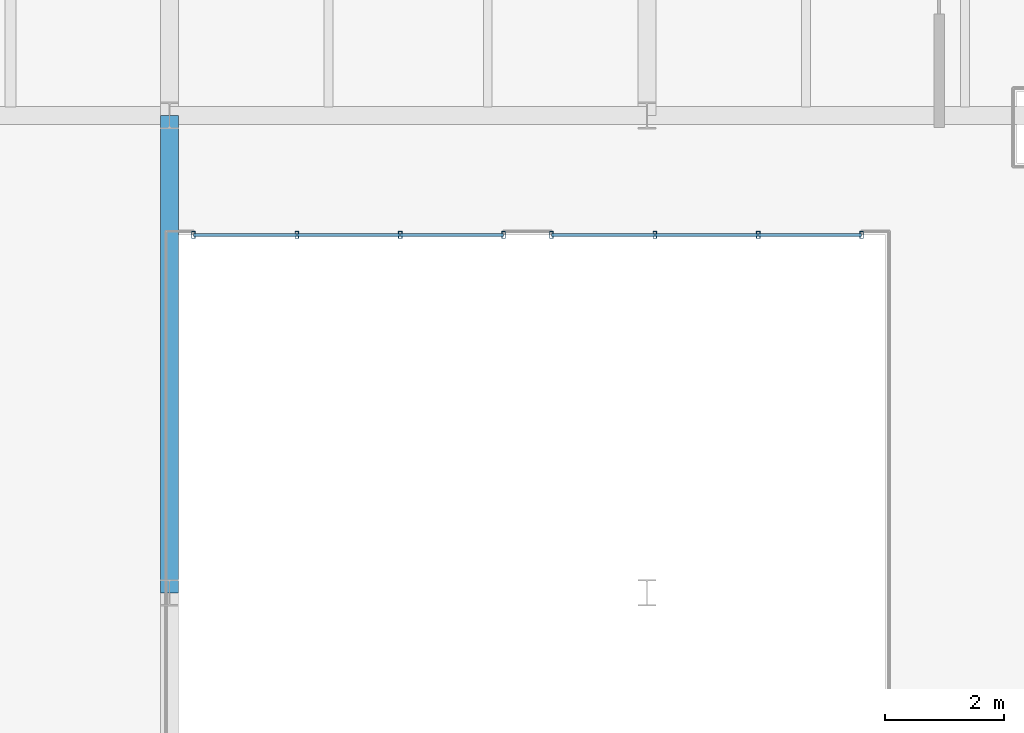
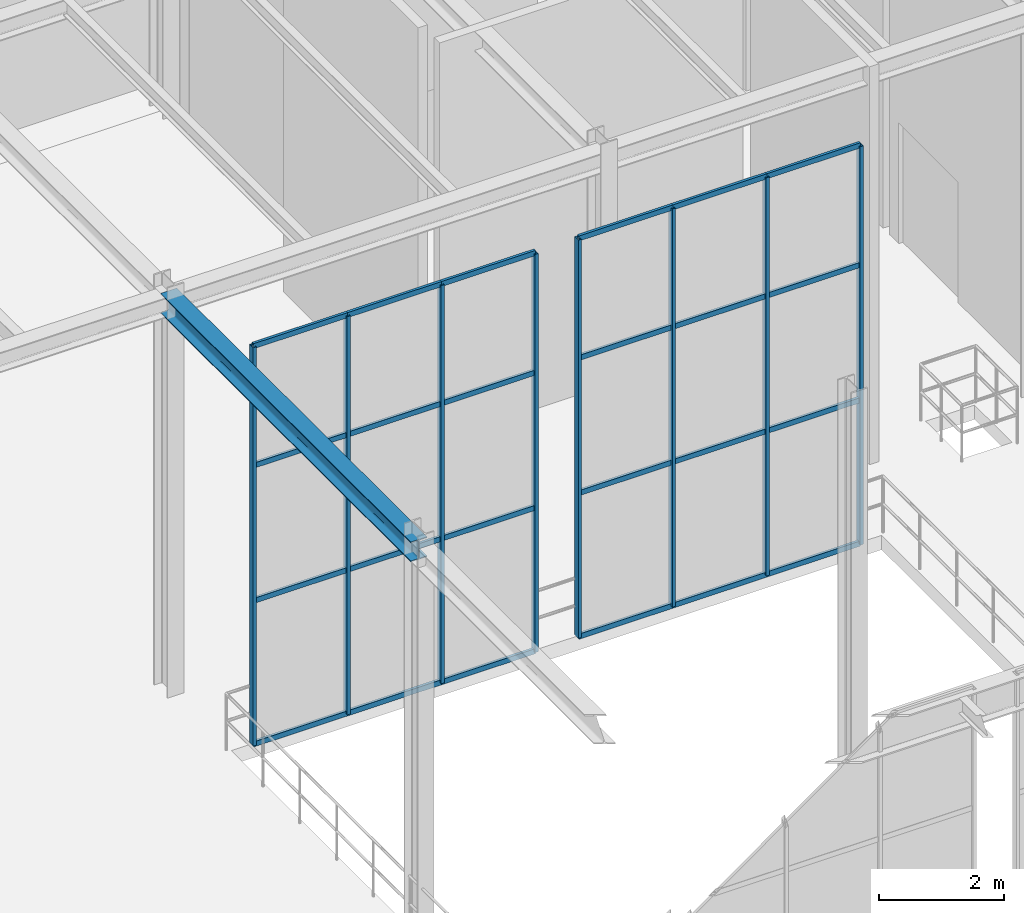
# One storey, part 69 of 138: 32 members, 1 beam, 2 elements without a shape of their own.
"""IFC4 building model written with IfcOpenShell, lengths in metres."""

from ifc_helpers import new_model, si_unit, direction, frame, origin, origin_2d, place, context, subcontext, project, spatial, hollow_rectangle, i_section, extrude, material, material_profile, profile_set, type_object, element, aggregate, save


model = new_model("IFC4")

# Units and contexts
model_context = context("Model", 3, precision=1e-05, world=origin(), true_north=direction((0.0, 1.0)))
body_context = subcontext(model_context, "Body", "Model", "MODEL_VIEW")
ifc_project = project(units=[si_unit("LENGTHUNIT", "METRE"), si_unit("AREAUNIT", "SQUARE_METRE"), si_unit("VOLUMEUNIT", "CUBIC_METRE"), si_unit("PLANEANGLEUNIT", "RADIAN"), si_unit("MASSUNIT", "GRAM", prefix="KILO")], contexts=[model_context])

# Site, building, storey
site_placement = place(None, origin())
site = spatial("IfcSite", under=ifc_project, at=site_placement, CompositionType="ELEMENT")
building_placement = place(site_placement, origin())
building = spatial("IfcBuilding", under=site, at=building_placement, Name="Sundkrona Museum", CompositionType="ELEMENT")
storey_placement = place(building_placement, frame((0.0, 0.0, 9.60009765625)))
storey = spatial("IfcBuildingStorey", under=building, at=storey_placement, Name="L02", CompositionType="ELEMENT", Elevation=9.60009765625)

# Beam
ifc_material_1 = material(Name="Steel S355J2", Category="steel")
ifc_material_profile_1 = material_profile(ifc_material_1, i_section(OverallWidth=0.300048828125, OverallDepth=0.389892578125, WebThickness=0.010986328125, FlangeThickness=0.01904296875, FilletRadius=0.027099609375, at=origin_2d()), Name="HEA 400")
ifc_profile_set_1 = profile_set([ifc_material_profile_1], Name="Steel S355J2")
beam_type = type_object("IfcBeamType", Name="B-HEA400", PredefinedType="BEAM", material=ifc_profile_set_1)
beam_placement = place(storey_placement, frame((136.0, 24.0, 7.56494140625), z_axis=(0.0, 1.0, 0.0), x_axis=(-1.0, 0.0, 0.0)))
element("IfcBeam", 1, at=beam_placement, inside=storey, type_object=beam_type, Name="L02 Girder Y-1344", PredefinedType="BEAM", context=body_context, shape_type="SweptSolid", body=[
    extrude(i_section(OverallWidth=0.300048828125, OverallDepth=0.389892578125, WebThickness=0.010986328125, FlangeThickness=0.01904296875, FilletRadius=0.027099609375, at=origin_2d()), origin(), (0.0, 0.0, 1.0), 8.0),
])

# Curtain wall, members
ifc_material_2 = material(Name="Unitised Aluminium-Steel and Ceramic-Clad Curtain Walling", Category="steel")
curtain_wall_type = type_object("IfcCurtainWallType", Name="CW-SC-52x74", PredefinedType="NOTDEFINED", material=ifc_material_2)
curtain_wall_1_placement = place(storey_placement, origin())
curtain_wall_1 = element("IfcCurtainWall", 2, at=curtain_wall_1_placement, inside=storey, type_object=curtain_wall_type, Name="L02 Curtain Wall CW-L02-006", PredefinedType="NOTDEFINED")
ifc_material_3 = material(Name="Aluminium EN AW-6060 T66", Category="aluminium")
ifc_material_profile_2 = material_profile(ifc_material_3, hollow_rectangle(XDim=0.06005859375, YDim=0.1201171875, WallThickness=0.0048828125, at=origin_2d()), Name="RHS 120x60x5.0")
ifc_profile_set_2 = profile_set([ifc_material_profile_2], Name="Aluminium EN AW-6060 T66")
member_type_1 = type_object("IfcMemberType", Name="ML-120", PredefinedType="MULLION", material=ifc_profile_set_2)
member_1_placement = place(storey_placement, frame((136.39990234375, 30.0, -0.004150390625), z_axis=(0.0, 0.0, 1.0), x_axis=(1.0, 0.0, 0.0)))
member_1 = element("IfcMember", 3, at=member_1_placement, type_object=member_type_1, Name="CW-L02-006 Mullion 01", PredefinedType="MULLION", context=body_context, shape_type="SweptSolid", body=[
    extrude(hollow_rectangle(XDim=0.06005859375, YDim=0.1201171875, WallThickness=0.0048828125, at=origin_2d()), origin(), (0.0, 0.0, 1.0), 7.76806640625),
])
member_2_placement = place(storey_placement, frame((138.13330078125, 30.0, -0.004150390625), z_axis=(0.0, 0.0, 1.0), x_axis=(1.0, 0.0, 0.0)))
member_2 = element("IfcMember", 4, at=member_2_placement, type_object=member_type_1, Name="CW-L02-006 Mullion 02", PredefinedType="MULLION", context=body_context, shape_type="SweptSolid", body=[
    extrude(hollow_rectangle(XDim=0.06005859375, YDim=0.1201171875, WallThickness=0.0048828125, at=origin_2d()), origin(), (0.0, 0.0, 1.0), 7.76806640625),
])
member_3_placement = place(storey_placement, frame((139.86669921875, 30.0, -0.004150390625), z_axis=(0.0, 0.0, 1.0), x_axis=(1.0, 0.0, 0.0)))
member_3 = element("IfcMember", 5, at=member_3_placement, type_object=member_type_1, Name="CW-L02-006 Mullion 03", PredefinedType="MULLION", context=body_context, shape_type="SweptSolid", body=[
    extrude(hollow_rectangle(XDim=0.06005859375, YDim=0.1201171875, WallThickness=0.0048828125, at=origin_2d()), origin(), (0.0, 0.0, 1.0), 7.76806640625),
])
member_4_placement = place(storey_placement, frame((141.60009765625, 30.0, -0.004150390625), z_axis=(0.0, 0.0, 1.0), x_axis=(1.0, 0.0, 0.0)))
member_4 = element("IfcMember", 6, at=member_4_placement, type_object=member_type_1, Name="CW-L02-006 Mullion 04", PredefinedType="MULLION", context=body_context, shape_type="SweptSolid", body=[
    extrude(hollow_rectangle(XDim=0.06005859375, YDim=0.1201171875, WallThickness=0.0048828125, at=origin_2d()), origin(), (0.0, 0.0, 1.0), 7.76806640625),
])

curtain_wall_2_placement = place(storey_placement, origin())
curtain_wall_2 = element("IfcCurtainWall", 7, at=curtain_wall_2_placement, inside=storey, type_object=curtain_wall_type, Name="L02 Curtain Wall CW-L02-008", PredefinedType="NOTDEFINED")
member_5_placement = place(storey_placement, frame((142.39990234375, 30.0, -0.004150390625), z_axis=(0.0, 0.0, 1.0), x_axis=(1.0, 0.0, 0.0)))
member_5 = element("IfcMember", 8, at=member_5_placement, type_object=member_type_1, Name="CW-L02-008 Mullion 01", PredefinedType="MULLION", context=body_context, shape_type="SweptSolid", body=[
    extrude(hollow_rectangle(XDim=0.06005859375, YDim=0.1201171875, WallThickness=0.0048828125, at=origin_2d()), origin(), (0.0, 0.0, 1.0), 7.76806640625),
])
member_6_placement = place(storey_placement, frame((144.13330078125, 30.0, -0.004150390625), z_axis=(0.0, 0.0, 1.0), x_axis=(1.0, 0.0, 0.0)))
member_6 = element("IfcMember", 9, at=member_6_placement, type_object=member_type_1, Name="CW-L02-008 Mullion 02", PredefinedType="MULLION", context=body_context, shape_type="SweptSolid", body=[
    extrude(hollow_rectangle(XDim=0.06005859375, YDim=0.1201171875, WallThickness=0.0048828125, at=origin_2d()), origin(), (0.0, 0.0, 1.0), 7.76806640625),
])
member_7_placement = place(storey_placement, frame((145.86669921875, 30.0, -0.004150390625), z_axis=(0.0, 0.0, 1.0), x_axis=(1.0, 0.0, 0.0)))
member_7 = element("IfcMember", 10, at=member_7_placement, type_object=member_type_1, Name="CW-L02-008 Mullion 03", PredefinedType="MULLION", context=body_context, shape_type="SweptSolid", body=[
    extrude(hollow_rectangle(XDim=0.06005859375, YDim=0.1201171875, WallThickness=0.0048828125, at=origin_2d()), origin(), (0.0, 0.0, 1.0), 7.76806640625),
])
member_8_placement = place(storey_placement, frame((147.60009765625, 30.0, -0.004150390625), z_axis=(0.0, 0.0, 1.0), x_axis=(1.0, 0.0, 0.0)))
member_8 = element("IfcMember", 11, at=member_8_placement, type_object=member_type_1, Name="CW-L02-008 Mullion 04", PredefinedType="MULLION", context=body_context, shape_type="SweptSolid", body=[
    extrude(hollow_rectangle(XDim=0.06005859375, YDim=0.1201171875, WallThickness=0.0048828125, at=origin_2d()), origin(), (0.0, 0.0, 1.0), 7.76806640625),
])

# Member
ifc_material_profile_3 = material_profile(ifc_material_3, hollow_rectangle(XDim=0.050048828125, YDim=0.10009765625, WallThickness=0.0048828125, at=origin_2d()), Name="RHS 100x50x5.0")
ifc_profile_set_3 = profile_set([ifc_material_profile_3], Name="Aluminium EN AW-6060 T66")
member_type_2 = type_object("IfcMemberType", Name="TR-100", PredefinedType="USERDEFINED", material=ifc_profile_set_3)
member_9_placement = place(storey_placement, frame((136.39990234375, 30.0, -0.004150390625), z_axis=(1.0, 0.0, 0.0), x_axis=(0.0, 1.0, 0.0)))
member_9 = element("IfcMember", 12, at=member_9_placement, type_object=member_type_2, Name="CW-L02-006 Transom 01", ObjectType="TRANSOM", PredefinedType="USERDEFINED", context=body_context, shape_type="SweptSolid", body=[
    extrude(hollow_rectangle(XDim=0.050048828125, YDim=0.10009765625, WallThickness=0.0048828125, at=origin_2d()), origin(), (0.0, 0.0, 1.0), 1.7333984375),
])

member_10_placement = place(storey_placement, frame((136.39990234375, 30.0, 2.7939453125), z_axis=(1.0, 0.0, 0.0), x_axis=(0.0, 1.0, 0.0)))
member_10 = element("IfcMember", 13, at=member_10_placement, type_object=member_type_2, Name="CW-L02-006 Transom 02", ObjectType="TRANSOM", PredefinedType="USERDEFINED", context=body_context, shape_type="SweptSolid", body=[
    extrude(hollow_rectangle(XDim=0.050048828125, YDim=0.10009765625, WallThickness=0.0048828125, at=origin_2d()), origin(), (0.0, 0.0, 1.0), 1.7333984375),
])

member_11_placement = place(storey_placement, frame((136.39990234375, 30.0, 5.431884765625), z_axis=(1.0, 0.0, 0.0), x_axis=(0.0, 1.0, 0.0)))
member_11 = element("IfcMember", 14, at=member_11_placement, type_object=member_type_2, Name="CW-L02-006 Transom 03", ObjectType="TRANSOM", PredefinedType="USERDEFINED", context=body_context, shape_type="SweptSolid", body=[
    extrude(hollow_rectangle(XDim=0.050048828125, YDim=0.10009765625, WallThickness=0.0048828125, at=origin_2d()), origin(), (0.0, 0.0, 1.0), 1.7333984375),
])

member_12_placement = place(storey_placement, frame((136.39990234375, 30.0, 7.763916015625), z_axis=(1.0, 0.0, 0.0), x_axis=(0.0, 1.0, 0.0)))
member_12 = element("IfcMember", 15, at=member_12_placement, type_object=member_type_2, Name="CW-L02-006 Transom 04", ObjectType="TRANSOM", PredefinedType="USERDEFINED", context=body_context, shape_type="SweptSolid", body=[
    extrude(hollow_rectangle(XDim=0.050048828125, YDim=0.10009765625, WallThickness=0.0048828125, at=origin_2d()), origin(), (0.0, 0.0, 1.0), 1.7333984375),
])

member_13_placement = place(storey_placement, frame((138.13330078125, 30.0, -0.004150390625), z_axis=(1.0, 0.0, 0.0), x_axis=(0.0, 1.0, 0.0)))
member_13 = element("IfcMember", 16, at=member_13_placement, type_object=member_type_2, Name="CW-L02-006 Transom 05", ObjectType="TRANSOM", PredefinedType="USERDEFINED", context=body_context, shape_type="SweptSolid", body=[
    extrude(hollow_rectangle(XDim=0.050048828125, YDim=0.10009765625, WallThickness=0.0048828125, at=origin_2d()), origin(), (0.0, 0.0, 1.0), 1.7333984375),
])

member_14_placement = place(storey_placement, frame((138.13330078125, 30.0, 2.7939453125), z_axis=(1.0, 0.0, 0.0), x_axis=(0.0, 1.0, 0.0)))
member_14 = element("IfcMember", 17, at=member_14_placement, type_object=member_type_2, Name="CW-L02-006 Transom 06", ObjectType="TRANSOM", PredefinedType="USERDEFINED", context=body_context, shape_type="SweptSolid", body=[
    extrude(hollow_rectangle(XDim=0.050048828125, YDim=0.10009765625, WallThickness=0.0048828125, at=origin_2d()), origin(), (0.0, 0.0, 1.0), 1.7333984375),
])

member_15_placement = place(storey_placement, frame((138.13330078125, 30.0, 5.431884765625), z_axis=(1.0, 0.0, 0.0), x_axis=(0.0, 1.0, 0.0)))
member_15 = element("IfcMember", 18, at=member_15_placement, type_object=member_type_2, Name="CW-L02-006 Transom 07", ObjectType="TRANSOM", PredefinedType="USERDEFINED", context=body_context, shape_type="SweptSolid", body=[
    extrude(hollow_rectangle(XDim=0.050048828125, YDim=0.10009765625, WallThickness=0.0048828125, at=origin_2d()), origin(), (0.0, 0.0, 1.0), 1.7333984375),
])

member_16_placement = place(storey_placement, frame((138.13330078125, 30.0, 7.763916015625), z_axis=(1.0, 0.0, 0.0), x_axis=(0.0, 1.0, 0.0)))
member_16 = element("IfcMember", 19, at=member_16_placement, type_object=member_type_2, Name="CW-L02-006 Transom 08", ObjectType="TRANSOM", PredefinedType="USERDEFINED", context=body_context, shape_type="SweptSolid", body=[
    extrude(hollow_rectangle(XDim=0.050048828125, YDim=0.10009765625, WallThickness=0.0048828125, at=origin_2d()), origin(), (0.0, 0.0, 1.0), 1.7333984375),
])

member_17_placement = place(storey_placement, frame((139.86669921875, 30.0, -0.004150390625), z_axis=(1.0, 0.0, 0.0), x_axis=(0.0, 1.0, 0.0)))
member_17 = element("IfcMember", 20, at=member_17_placement, type_object=member_type_2, Name="CW-L02-006 Transom 09", ObjectType="TRANSOM", PredefinedType="USERDEFINED", context=body_context, shape_type="SweptSolid", body=[
    extrude(hollow_rectangle(XDim=0.050048828125, YDim=0.10009765625, WallThickness=0.0048828125, at=origin_2d()), origin(), (0.0, 0.0, 1.0), 1.7333984375),
])

member_18_placement = place(storey_placement, frame((139.86669921875, 30.0, 2.7939453125), z_axis=(1.0, 0.0, 0.0), x_axis=(0.0, 1.0, 0.0)))
member_18 = element("IfcMember", 21, at=member_18_placement, type_object=member_type_2, Name="CW-L02-006 Transom 10", ObjectType="TRANSOM", PredefinedType="USERDEFINED", context=body_context, shape_type="SweptSolid", body=[
    extrude(hollow_rectangle(XDim=0.050048828125, YDim=0.10009765625, WallThickness=0.0048828125, at=origin_2d()), origin(), (0.0, 0.0, 1.0), 1.7333984375),
])

member_19_placement = place(storey_placement, frame((139.86669921875, 30.0, 5.431884765625), z_axis=(1.0, 0.0, 0.0), x_axis=(0.0, 1.0, 0.0)))
member_19 = element("IfcMember", 22, at=member_19_placement, type_object=member_type_2, Name="CW-L02-006 Transom 11", ObjectType="TRANSOM", PredefinedType="USERDEFINED", context=body_context, shape_type="SweptSolid", body=[
    extrude(hollow_rectangle(XDim=0.050048828125, YDim=0.10009765625, WallThickness=0.0048828125, at=origin_2d()), origin(), (0.0, 0.0, 1.0), 1.7333984375),
])

member_20_placement = place(storey_placement, frame((139.86669921875, 30.0, 7.763916015625), z_axis=(1.0, 0.0, 0.0), x_axis=(0.0, 1.0, 0.0)))
member_20 = element("IfcMember", 23, at=member_20_placement, type_object=member_type_2, Name="CW-L02-006 Transom 12", ObjectType="TRANSOM", PredefinedType="USERDEFINED", context=body_context, shape_type="SweptSolid", body=[
    extrude(hollow_rectangle(XDim=0.050048828125, YDim=0.10009765625, WallThickness=0.0048828125, at=origin_2d()), origin(), (0.0, 0.0, 1.0), 1.7333984375),
])

aggregate(curtain_wall_1, [member_1, member_2, member_3, member_4, member_9, member_10, member_11, member_12, member_13, member_14, member_15, member_16, member_17, member_18, member_19, member_20])

member_21_placement = place(storey_placement, frame((142.39990234375, 30.0, -0.004150390625), z_axis=(1.0, 0.0, 0.0), x_axis=(0.0, 1.0, 0.0)))
member_21 = element("IfcMember", 24, at=member_21_placement, type_object=member_type_2, Name="CW-L02-008 Transom 01", ObjectType="TRANSOM", PredefinedType="USERDEFINED", context=body_context, shape_type="SweptSolid", body=[
    extrude(hollow_rectangle(XDim=0.050048828125, YDim=0.10009765625, WallThickness=0.0048828125, at=origin_2d()), origin(), (0.0, 0.0, 1.0), 1.7333984375),
])

member_22_placement = place(storey_placement, frame((142.39990234375, 30.0, 2.7939453125), z_axis=(1.0, 0.0, 0.0), x_axis=(0.0, 1.0, 0.0)))
member_22 = element("IfcMember", 25, at=member_22_placement, type_object=member_type_2, Name="CW-L02-008 Transom 02", ObjectType="TRANSOM", PredefinedType="USERDEFINED", context=body_context, shape_type="SweptSolid", body=[
    extrude(hollow_rectangle(XDim=0.050048828125, YDim=0.10009765625, WallThickness=0.0048828125, at=origin_2d()), origin(), (0.0, 0.0, 1.0), 1.7333984375),
])

member_23_placement = place(storey_placement, frame((142.39990234375, 30.0, 5.431884765625), z_axis=(1.0, 0.0, 0.0), x_axis=(0.0, 1.0, 0.0)))
member_23 = element("IfcMember", 26, at=member_23_placement, type_object=member_type_2, Name="CW-L02-008 Transom 03", ObjectType="TRANSOM", PredefinedType="USERDEFINED", context=body_context, shape_type="SweptSolid", body=[
    extrude(hollow_rectangle(XDim=0.050048828125, YDim=0.10009765625, WallThickness=0.0048828125, at=origin_2d()), origin(), (0.0, 0.0, 1.0), 1.7333984375),
])

member_24_placement = place(storey_placement, frame((142.39990234375, 30.0, 7.763916015625), z_axis=(1.0, 0.0, 0.0), x_axis=(0.0, 1.0, 0.0)))
member_24 = element("IfcMember", 27, at=member_24_placement, type_object=member_type_2, Name="CW-L02-008 Transom 04", ObjectType="TRANSOM", PredefinedType="USERDEFINED", context=body_context, shape_type="SweptSolid", body=[
    extrude(hollow_rectangle(XDim=0.050048828125, YDim=0.10009765625, WallThickness=0.0048828125, at=origin_2d()), origin(), (0.0, 0.0, 1.0), 1.7333984375),
])

member_25_placement = place(storey_placement, frame((144.13330078125, 30.0, -0.004150390625), z_axis=(1.0, 0.0, 0.0), x_axis=(0.0, 1.0, 0.0)))
member_25 = element("IfcMember", 28, at=member_25_placement, type_object=member_type_2, Name="CW-L02-008 Transom 05", ObjectType="TRANSOM", PredefinedType="USERDEFINED", context=body_context, shape_type="SweptSolid", body=[
    extrude(hollow_rectangle(XDim=0.050048828125, YDim=0.10009765625, WallThickness=0.0048828125, at=origin_2d()), origin(), (0.0, 0.0, 1.0), 1.7333984375),
])

member_26_placement = place(storey_placement, frame((144.13330078125, 30.0, 2.7939453125), z_axis=(1.0, 0.0, 0.0), x_axis=(0.0, 1.0, 0.0)))
member_26 = element("IfcMember", 29, at=member_26_placement, type_object=member_type_2, Name="CW-L02-008 Transom 06", ObjectType="TRANSOM", PredefinedType="USERDEFINED", context=body_context, shape_type="SweptSolid", body=[
    extrude(hollow_rectangle(XDim=0.050048828125, YDim=0.10009765625, WallThickness=0.0048828125, at=origin_2d()), origin(), (0.0, 0.0, 1.0), 1.7333984375),
])

member_27_placement = place(storey_placement, frame((144.13330078125, 30.0, 5.431884765625), z_axis=(1.0, 0.0, 0.0), x_axis=(0.0, 1.0, 0.0)))
member_27 = element("IfcMember", 30, at=member_27_placement, type_object=member_type_2, Name="CW-L02-008 Transom 07", ObjectType="TRANSOM", PredefinedType="USERDEFINED", context=body_context, shape_type="SweptSolid", body=[
    extrude(hollow_rectangle(XDim=0.050048828125, YDim=0.10009765625, WallThickness=0.0048828125, at=origin_2d()), origin(), (0.0, 0.0, 1.0), 1.7333984375),
])

member_28_placement = place(storey_placement, frame((144.13330078125, 30.0, 7.763916015625), z_axis=(1.0, 0.0, 0.0), x_axis=(0.0, 1.0, 0.0)))
member_28 = element("IfcMember", 31, at=member_28_placement, type_object=member_type_2, Name="CW-L02-008 Transom 08", ObjectType="TRANSOM", PredefinedType="USERDEFINED", context=body_context, shape_type="SweptSolid", body=[
    extrude(hollow_rectangle(XDim=0.050048828125, YDim=0.10009765625, WallThickness=0.0048828125, at=origin_2d()), origin(), (0.0, 0.0, 1.0), 1.7333984375),
])

member_29_placement = place(storey_placement, frame((145.86669921875, 30.0, -0.004150390625), z_axis=(1.0, 0.0, 0.0), x_axis=(0.0, 1.0, 0.0)))
member_29 = element("IfcMember", 32, at=member_29_placement, type_object=member_type_2, Name="CW-L02-008 Transom 09", ObjectType="TRANSOM", PredefinedType="USERDEFINED", context=body_context, shape_type="SweptSolid", body=[
    extrude(hollow_rectangle(XDim=0.050048828125, YDim=0.10009765625, WallThickness=0.0048828125, at=origin_2d()), origin(), (0.0, 0.0, 1.0), 1.7333984375),
])

member_30_placement = place(storey_placement, frame((145.86669921875, 30.0, 2.7939453125), z_axis=(1.0, 0.0, 0.0), x_axis=(0.0, 1.0, 0.0)))
member_30 = element("IfcMember", 33, at=member_30_placement, type_object=member_type_2, Name="CW-L02-008 Transom 10", ObjectType="TRANSOM", PredefinedType="USERDEFINED", context=body_context, shape_type="SweptSolid", body=[
    extrude(hollow_rectangle(XDim=0.050048828125, YDim=0.10009765625, WallThickness=0.0048828125, at=origin_2d()), origin(), (0.0, 0.0, 1.0), 1.7333984375),
])

member_31_placement = place(storey_placement, frame((145.86669921875, 30.0, 5.431884765625), z_axis=(1.0, 0.0, 0.0), x_axis=(0.0, 1.0, 0.0)))
member_31 = element("IfcMember", 34, at=member_31_placement, type_object=member_type_2, Name="CW-L02-008 Transom 11", ObjectType="TRANSOM", PredefinedType="USERDEFINED", context=body_context, shape_type="SweptSolid", body=[
    extrude(hollow_rectangle(XDim=0.050048828125, YDim=0.10009765625, WallThickness=0.0048828125, at=origin_2d()), origin(), (0.0, 0.0, 1.0), 1.7333984375),
])

member_32_placement = place(storey_placement, frame((145.86669921875, 30.0, 7.763916015625), z_axis=(1.0, 0.0, 0.0), x_axis=(0.0, 1.0, 0.0)))
member_32 = element("IfcMember", 35, at=member_32_placement, type_object=member_type_2, Name="CW-L02-008 Transom 12", ObjectType="TRANSOM", PredefinedType="USERDEFINED", context=body_context, shape_type="SweptSolid", body=[
    extrude(hollow_rectangle(XDim=0.050048828125, YDim=0.10009765625, WallThickness=0.0048828125, at=origin_2d()), origin(), (0.0, 0.0, 1.0), 1.7333984375),
])

aggregate(curtain_wall_2, [member_5, member_6, member_7, member_8, member_21, member_22, member_23, member_24, member_25, member_26, member_27, member_28, member_29, member_30, member_31, member_32])

save(model, "model.ifc")
